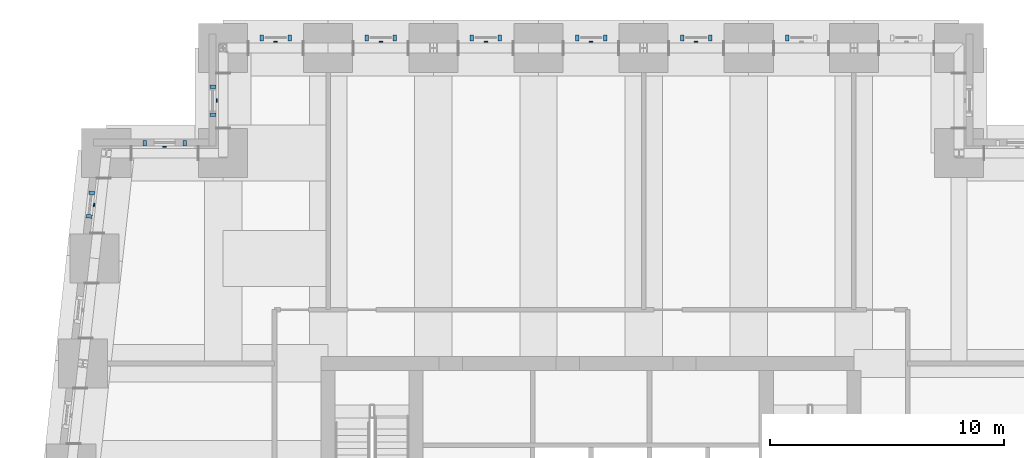
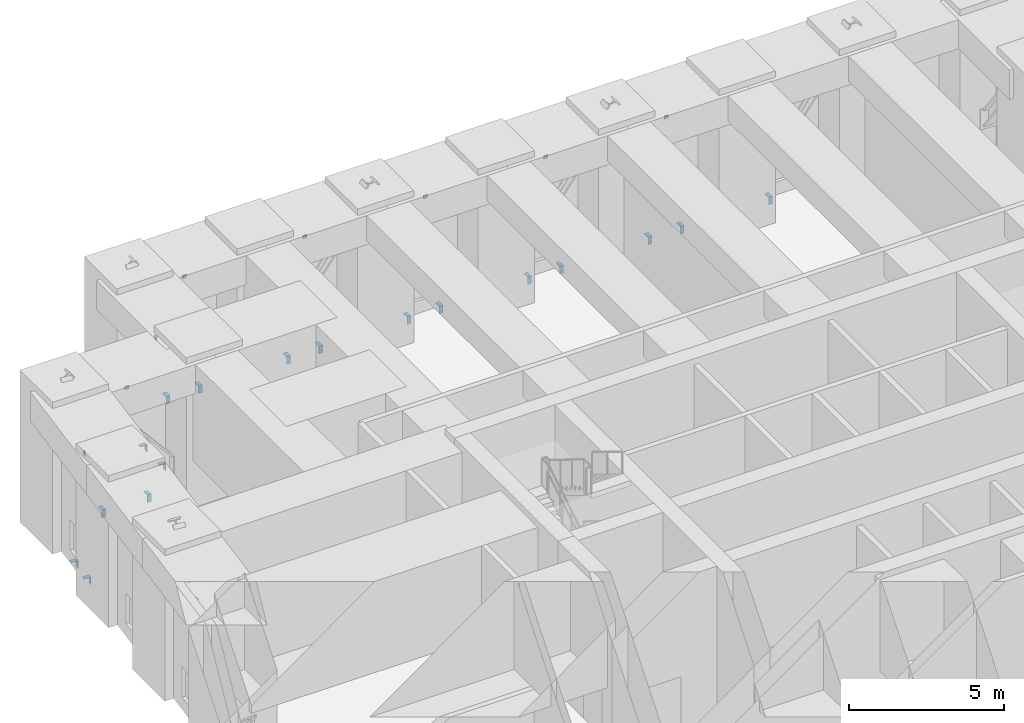
# One storey, part 14 of 17: 25 discrete accessories.
"""IFC4 building model written with IfcOpenShell, lengths in metres."""

from ifc_helpers import new_model, si_unit, direction, frame, origin, place, context, subcontext, project, spatial, polyline, outline, extrude, source, transform, mapped, material, layer, layer_set, type_object, element, save


model = new_model("IFC4")

# Units and contexts
model_context = context("Model", 3, precision=1e-05, world=origin(), true_north=direction((0.0, 1.0)))
body_context = subcontext(model_context, "Body", "Model", "MODEL_VIEW")
ifc_project = project(units=[si_unit("LENGTHUNIT", "METRE"), si_unit("AREAUNIT", "SQUARE_METRE"), si_unit("VOLUMEUNIT", "CUBIC_METRE"), si_unit("PLANEANGLEUNIT", "RADIAN"), si_unit("MASSUNIT", "GRAM", prefix="KILO")], contexts=[model_context])

# Site, building, storey
site_placement = place(None, origin())
site = spatial("IfcSite", under=ifc_project, at=site_placement, CompositionType="ELEMENT")
building_placement = place(site_placement, origin())
building = spatial("IfcBuilding", under=site, at=building_placement, Name="Kilele Tower Hotel", CompositionType="ELEMENT")
storey_placement = place(building_placement, frame((0.0, 0.0, 211.39990234375)))
storey = spatial("IfcBuildingStorey", under=building, at=storey_placement, Name="L55", CompositionType="ELEMENT", Elevation=211.39990234375)

# Discrete accessories
ifc_material_1 = material(Name="Hot-dip galvanized steel S355", Category="steel")
ifc_layer_1 = layer(ifc_material_1, 0.014892578125)
ifc_layer_set_1 = layer_set([ifc_layer_1], Name="Hot-dip galvanized steel S355")
discrete_accessory_type_1 = type_object("IfcDiscreteAccessoryType", Name="Facade panel bearing bracket 250x150x15", PredefinedType="BRACKET", material=ifc_layer_set_1)
shared_shape_1 = source(origin(), body_context, "Body", "SweptSolid", [
    extrude(outline(polyline([(0.0, 0.0), (0.25, 0.0), (0.25, -0.014892578125), (0.014892578125, -0.014892578125), (0.014892578125, -0.300048828125), (0.0, -0.300048828125), (0.0, 0.0)])), origin(), (0.0, 0.0, 1.0), 0.14990234375),
])
for number, where, z_axis, x_axis, name in (
    (1, (33.074951171875, 40.800048828125, 0.0), (1.0, 0.0, 0.0), (0.0, 1.0, 0.0), "Facade panel bearing bracket L55"),
    (2, (29.77490234375, 40.800048828125, 0.0), (1.0, 0.0, 0.0), (0.0, 1.0, 0.0), "Facade panel bearing bracket L55"),
    (3, (28.574951171875, 40.800048828125, 0.0), (1.0, 0.0, 0.0), (0.0, 1.0, 0.0), "Facade panel bearing bracket L55"),
    (4, (25.27490234375, 40.800048828125, 0.0), (1.0, 0.0, 0.0), (0.0, 1.0, 0.0), "Facade panel bearing bracket L55"),
    (5, (24.074951171875, 40.800048828125, 0.0), (1.0, 0.0, 0.0), (0.0, 1.0, 0.0), "Facade panel bearing bracket L55"),
    (6, (20.77490234375, 40.800048828125, 0.0), (1.0, 0.0, 0.0), (0.0, 1.0, 0.0), "Facade panel bearing bracket L55"),
    (7, (19.574951171875, 40.800048828125, 0.0), (1.0, 0.0, 0.0), (0.0, 1.0, 0.0), "Facade panel bearing bracket L55"),
    (8, (16.27490234375, 40.800048828125, 0.0), (1.0, 0.0, 0.0), (0.0, 1.0, 0.0), "Facade panel bearing bracket L55"),
    (9, (15.074951171875, 40.800048828125, 0.0), (1.0, 0.0, 0.0), (0.0, 1.0, 0.0), "Facade panel bearing bracket L55"),
    (10, (11.77490234375, 40.800048828125, 0.0), (1.0, 0.0, 0.0), (0.0, 1.0, 0.0), "Facade panel bearing bracket L55"),
    (11, (10.574951171875, 40.800048828125, 0.0), (1.0, 0.0, 0.0), (0.0, 1.0, 0.0), "Facade panel bearing bracket L55"),
    (12, (8.699951171875, 38.77490234375, 0.0), (0.0, 1.0, 0.0), (-1.0, 0.0, 0.0), "Facade panel bearing bracket L55"),
    (13, (8.699951171875, 37.574951171875, 0.0), (0.0, 1.0, 0.0), (-1.0, 0.0, 0.0), "Facade panel bearing bracket L55"),
    (14, (7.27490234375, 36.300048828125, 0.0), (1.0, 0.0, 0.0), (0.0, 1.0, 0.0), "Facade panel bearing bracket L55"),
    (15, (5.574951171875, 36.300048828125, 0.0), (1.0, 0.0, 0.0), (0.0, 1.0, 0.0), "Facade panel bearing bracket L55"),
    (16, (3.499267578125, 34.209716796875, 0.0), (0.110432, 0.993884, 0.0), (-0.993884, 0.110432, 0.0), "Facade panel bearing bracket L55"),
    (17, (3.387939453125, 33.20751953125, 0.0), (0.110432, 0.993884, 0.0), (-0.993884, 0.110432, 0.0), "Facade panel bearing bracket L55"),
):
    element("IfcDiscreteAccessory", number, at=place(storey_placement, frame(where, z_axis=z_axis, x_axis=x_axis)), inside=storey, type_object=discrete_accessory_type_1, Name=name, PredefinedType="BRACKET", context=body_context, shape_type="MappedRepresentation", body=[
        mapped(shared_shape_1, transform((0.0, 0.0, 0.0))),
    ])
ifc_material_2 = material(Name="Hot-dip galvanized steel S355", Category="steel")
ifc_layer_2 = layer(ifc_material_2, 0.011962890625)
ifc_layer_set_2 = layer_set([ifc_layer_2], Name="Hot-dip galvanized steel S355")
discrete_accessory_type_2 = type_object("IfcDiscreteAccessoryType", Name="Facade panel restraint bracket 150x50x12", PredefinedType="BRACKET", material=ifc_layer_set_2)
shared_shape_2 = source(origin(), body_context, "Body", "SweptSolid", [
    extrude(outline(polyline([(0.0, 0.0), (0.0, -0.14990234375), (-0.011962890625, -0.14990234375), (-0.011962890625, -0.011962890625), (-0.050048828125, -0.011962890625), (-0.050048828125, 0.0), (0.0, 0.0)])), origin(), (0.0, 0.0, 1.0), 0.14990234375),
])
for number, where, z_axis, x_axis, name in (
    (18, (29.175048828125, 40.800048828125, 4.60009765625), (1.0, 0.0, 0.0), (0.0, 1.0, 0.0), "Facade panel restraint bracket L55"),
    (19, (24.675048828125, 40.800048828125, 4.60009765625), (1.0, 0.0, 0.0), (0.0, 1.0, 0.0), "Facade panel restraint bracket L55"),
    (20, (20.175048828125, 40.800048828125, 4.60009765625), (1.0, 0.0, 0.0), (0.0, 1.0, 0.0), "Facade panel restraint bracket L55"),
    (21, (15.675048828125, 40.800048828125, 4.60009765625), (1.0, 0.0, 0.0), (0.0, 1.0, 0.0), "Facade panel restraint bracket L55"),
    (22, (11.175048828125, 40.800048828125, 4.60009765625), (1.0, 0.0, 0.0), (0.0, 1.0, 0.0), "Facade panel restraint bracket L55"),
    (23, (8.699951171875, 38.175048828125, 4.60009765625), (0.0, 1.0, 0.0), (-1.0, 0.0, 0.0), "Facade panel restraint bracket L55"),
    (24, (6.425048828125, 36.300048828125, 4.60009765625), (1.0, 0.0, 0.0), (0.0, 1.0, 0.0), "Facade panel restraint bracket L55"),
    (25, (3.443603515625, 33.70849609375, 4.60009765625), (0.110432, 0.993884, 0.0), (-0.993884, 0.110432, 0.0), "Facade panel restraint bracket L55"),
):
    element("IfcDiscreteAccessory", number, at=place(storey_placement, frame(where, z_axis=z_axis, x_axis=x_axis)), inside=storey, type_object=discrete_accessory_type_2, Name=name, PredefinedType="BRACKET", context=body_context, shape_type="MappedRepresentation", body=[
        mapped(shared_shape_2, transform((0.0, 0.0, 0.0))),
    ])

save(model, "model.ifc")
